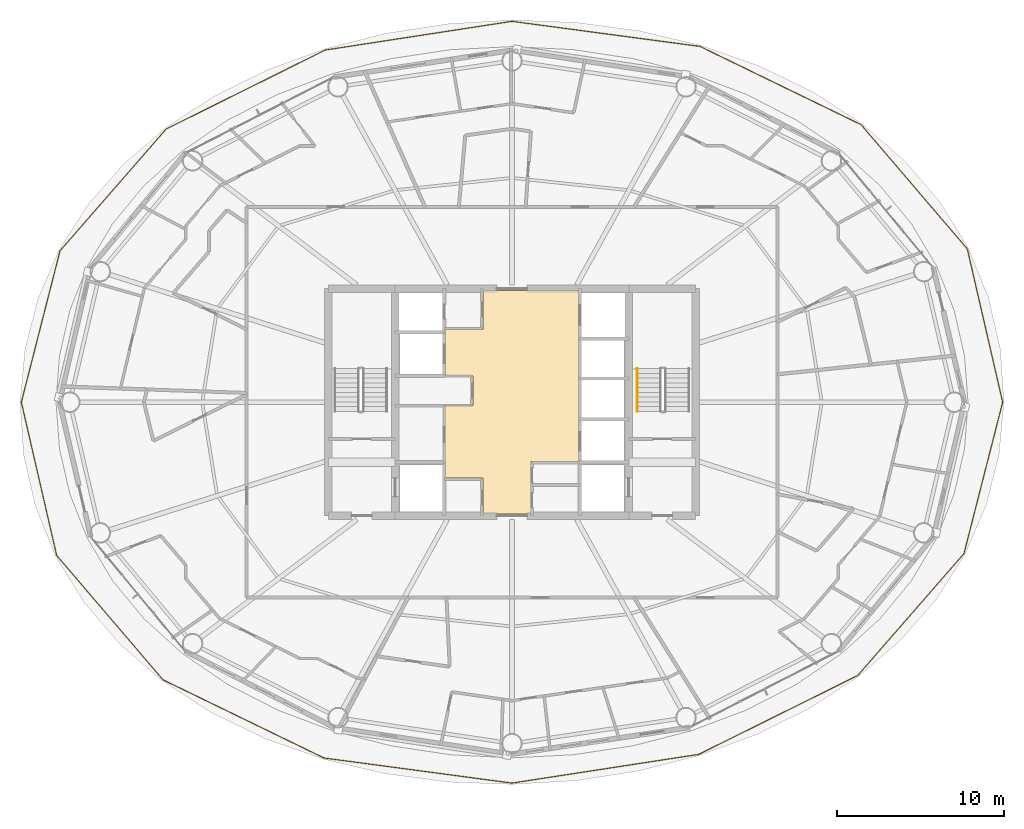
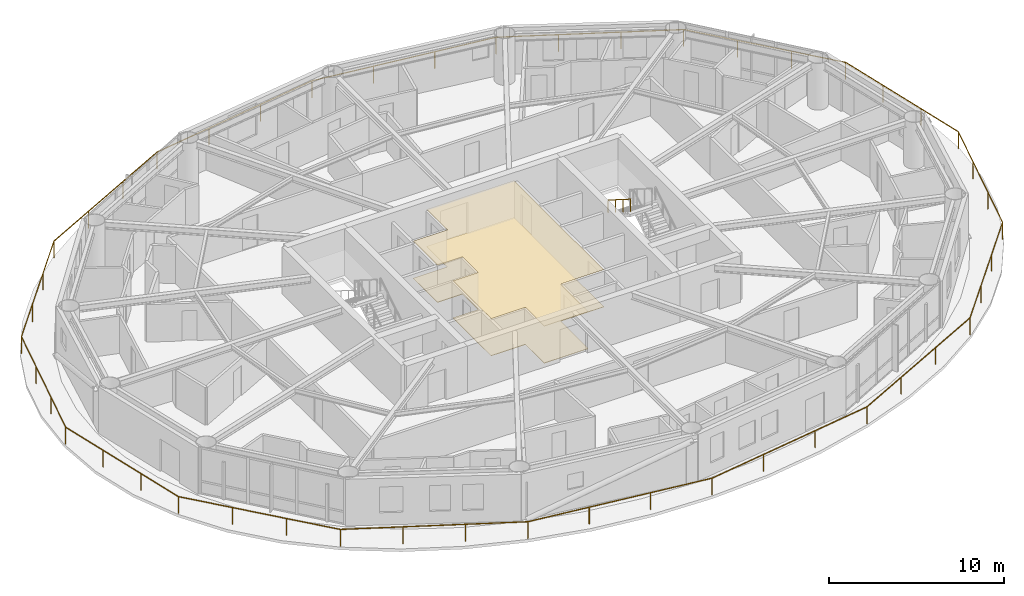
# One storey, part 27 of 28: 2 coverings, 2 railings.
"""IFC4 building model written with IfcOpenShell, lengths in metres."""

from ifc_helpers import new_model, si_unit, direction, frame, origin, origin_2d, place, context, subcontext, project, spatial, polyline, rectangle, outline, extrude, material, layer, layer_set, type_object, element, save


model = new_model("IFC4")

# Units and contexts
model_context = context("Model", 3, precision=1e-05, world=origin(), true_north=direction((0.0, 1.0)))
body_context = subcontext(model_context, "Body", "Model", "MODEL_VIEW")
ifc_project = project(units=[si_unit("LENGTHUNIT", "METRE"), si_unit("AREAUNIT", "SQUARE_METRE"), si_unit("VOLUMEUNIT", "CUBIC_METRE"), si_unit("PLANEANGLEUNIT", "RADIAN"), si_unit("MASSUNIT", "GRAM", prefix="KILO")], contexts=[model_context])

# Site, building, storey
site_placement = place(None, origin())
site = spatial("IfcSite", under=ifc_project, at=site_placement, CompositionType="ELEMENT")
building_placement = place(site_placement, origin())
building = spatial("IfcBuilding", under=site, at=building_placement, Name="Sarneth Arch Tower", CompositionType="ELEMENT")
storey_placement = place(building_placement, frame((0.0, 0.0, 197.39990234375)))
storey = spatial("IfcBuildingStorey", under=building, at=storey_placement, Name="L50", CompositionType="ELEMENT", Elevation=197.39990234375)

# Coverings
ifc_material_1 = material(Name="Perforated acoustic gypsum ceiling board")
ifc_layer_1 = layer(ifc_material_1, 0.02490234375)
ifc_layer_set_1 = layer_set([ifc_layer_1], Name="Perforated acoustic gypsum ceiling board")
covering_type_1 = type_object("IfcCoveringType", Name="COV-CEIL-GYP", PredefinedType="CEILING", material=ifc_layer_set_1)
covering_1_placement = place(storey_placement, frame((0.0, 0.0, 2.580078125)))
element("IfcCovering", 1, at=covering_1_placement, inside=storey, type_object=covering_type_1, Name="L50 Lift lobby acoustic ceiling", PredefinedType="CEILING", context=body_context, shape_type="SweptSolid", body=[
    extrude(outline(polyline([(49.14990234375, 38.449951171875), (49.14990234375, 35.300048828125), (46.25, 35.300048828125), (46.25, 37.449951171875), (44.0, 37.449951171875), (44.0, 41.800048828125), (45.64990234375, 41.800048828125), (45.64990234375, 43.580078125), (44.0, 43.580078125), (44.0, 46.35009765625), (46.25, 46.35009765625), (46.25, 48.699951171875), (52.0, 48.699951171875), (52.0, 38.449951171875), (49.14990234375, 38.449951171875)])), origin(), (0.0, 0.0, 1.0), 0.030029296875),
])
ifc_material_2 = material(Name="Honed granite stone flooring", Category="masonry")
ifc_layer_2 = layer(ifc_material_2, 0.030029296875)
ifc_layer_set_2 = layer_set([ifc_layer_2], Name="Honed granite stone flooring")
covering_type_2 = type_object("IfcCoveringType", Name="COV-FLR-STONE", PredefinedType="FLOORING", material=ifc_layer_set_2)
covering_2_placement = place(storey_placement, origin())
element("IfcCovering", 2, at=covering_2_placement, inside=storey, type_object=covering_type_2, Name="L50 Lift lobby granite flooring", PredefinedType="FLOORING", context=body_context, shape_type="SweptSolid", body=[
    extrude(outline(polyline([(49.14990234375, 38.449951171875), (49.14990234375, 35.300048828125), (46.25, 35.300048828125), (46.25, 37.449951171875), (44.0, 37.449951171875), (44.0, 41.800048828125), (45.64990234375, 41.800048828125), (45.64990234375, 43.580078125), (44.0, 43.580078125), (44.0, 46.35009765625), (46.25, 46.35009765625), (46.25, 48.699951171875), (52.0, 48.699951171875), (52.0, 38.449951171875), (49.14990234375, 38.449951171875)])), origin(), (0.0, 0.0, 1.0), 0.030029296875),
])

# Railings
ifc_material_3 = material(Name="Laminated structural glass infill with Stainless Steel 316 top rail and posts", Category="steel")
railing_type_1 = type_object("IfcRailingType", Name="RAIL-BALC-1200", PredefinedType="BALUSTRADE", material=ifc_material_3)
railing_1_placement = place(storey_placement, frame((77.3896484375, 42.0, 0.0)))
element("IfcRailing", 3, at=railing_1_placement, inside=storey, type_object=railing_type_1, Name="L50 Helical balcony glass balustrade", PredefinedType="BALUSTRADE", context=body_context, shape_type="SweptSolid", body=[
    extrude(rectangle(XDim=0.048095703125, YDim=0.048095703125, at=origin_2d()), frame((0.0, 0.0, 1.17578125), z_axis=(-0.22469292205, 0.974429623308, 0.0), x_axis=(-0.974429623308, -0.22469292205, 0.0)), (0.0, 0.0, 1.0), 9.41943359375),
    extrude(rectangle(XDim=0.048095703125, YDim=0.048095703125, at=origin_2d()), frame((-2.116455078125, 9.178466796875, 1.17578125), z_axis=(-0.649762569774, 0.760137226374, 0.0), x_axis=(-0.760137226374, -0.649762569774, 0.0)), (0.0, 0.0, 1.0), 9.796630859375),
    extrude(rectangle(XDim=0.048095703125, YDim=0.048095703125, at=origin_2d()), frame((-8.48193359375, 16.625244140625, 1.17578125), z_axis=(-0.899529881506, 0.436859236228, 0.0), x_axis=(-0.436859236228, -0.899529881506, 0.0)), (0.0, 0.0, 1.0), 10.72607421875),
    extrude(rectangle(XDim=0.048095703125, YDim=0.048095703125, at=origin_2d()), frame((-18.13037109375, 21.31103515625, 1.17578125), z_axis=(-0.991214004538, 0.132267899387, 0.0), x_axis=(-0.132267899387, -0.991214004538, 0.0)), (0.0, 0.0, 1.0), 11.359130859375),
    extrude(rectangle(XDim=0.048095703125, YDim=0.048095703125, at=origin_2d()), frame((-29.3896484375, 22.8134765625, 1.17578125), z_axis=(-0.988370700487, -0.152063665674, 0.0), x_axis=(0.152063665674, -0.988370700487, 0.0)), (0.0, 0.0, 1.0), 11.322021484375),
    extrude(rectangle(XDim=0.048095703125, YDim=0.048095703125, at=origin_2d()), frame((-40.580078125, 21.091796875, 1.17578125), z_axis=(-0.895737012334, -0.444584305542, 0.0), x_axis=(0.444584305542, -0.895737012334, 0.0)), (0.0, 0.0, 1.0), 10.63037109375),
    extrude(rectangle(XDim=0.048095703125, YDim=0.048095703125, at=origin_2d()), frame((-50.10205078125, 16.36572265625, 1.17578125), z_axis=(-0.656948180586, -0.753935732025, 0.0), x_axis=(0.753935732025, -0.656948180586, 0.0)), (0.0, 0.0, 1.0), 9.681396484375),
    extrude(rectangle(XDim=0.048095703125, YDim=0.048095703125, at=origin_2d()), frame((-56.462158203125, 9.066650390625, 1.17578125), z_axis=(-0.247608879585, -0.968860073876, 0.0), x_axis=(0.968860073876, -0.247608879585, 0.0)), (0.0, 0.0, 1.0), 9.358154296875),
    extrude(rectangle(XDim=0.048095703125, YDim=0.048095703125, at=origin_2d()), frame((-58.779296875, 0.0, 1.17578125), z_axis=(0.22469292205, -0.974429623308, 0.0), x_axis=(0.974429623308, 0.22469292205, 0.0)), (0.0, 0.0, 1.0), 9.41943359375),
    extrude(rectangle(XDim=0.048095703125, YDim=0.048095703125, at=origin_2d()), frame((-56.662841796875, -9.178466796875, 1.17578125), z_axis=(0.649762569774, -0.760137226374, 0.0), x_axis=(0.760137226374, 0.649762569774, 0.0)), (0.0, 0.0, 1.0), 9.796630859375),
    extrude(rectangle(XDim=0.048095703125, YDim=0.048095703125, at=origin_2d()), frame((-50.29736328125, -16.625244140625, 1.17578125), z_axis=(0.899529881506, -0.436859236228, 0.0), x_axis=(0.436859236228, 0.899529881506, 0.0)), (0.0, 0.0, 1.0), 10.72607421875),
    extrude(rectangle(XDim=0.048095703125, YDim=0.048095703125, at=origin_2d()), frame((-40.64892578125, -21.31103515625, 1.17578125), z_axis=(0.991214004538, -0.132267899387, 0.0), x_axis=(0.132267899387, 0.991214004538, 0.0)), (0.0, 0.0, 1.0), 11.359130859375),
    extrude(rectangle(XDim=0.048095703125, YDim=0.048095703125, at=origin_2d()), frame((-29.3896484375, -22.8134765625, 1.17578125), z_axis=(0.988370700487, 0.152063665674, 0.0), x_axis=(-0.152063665674, 0.988370700487, 0.0)), (0.0, 0.0, 1.0), 11.322021484375),
    extrude(rectangle(XDim=0.048095703125, YDim=0.048095703125, at=origin_2d()), frame((-18.19921875, -21.091796875, 1.17578125), z_axis=(0.895737012334, 0.444584305542, 0.0), x_axis=(-0.444584305542, 0.895737012334, 0.0)), (0.0, 0.0, 1.0), 10.63037109375),
    extrude(rectangle(XDim=0.048095703125, YDim=0.048095703125, at=origin_2d()), frame((-8.67724609375, -16.36572265625, 1.17578125), z_axis=(0.656948180586, 0.753935732025, 0.0), x_axis=(-0.753935732025, 0.656948180586, 0.0)), (0.0, 0.0, 1.0), 9.681396484375),
    extrude(rectangle(XDim=0.048095703125, YDim=0.048095703125, at=origin_2d()), frame((-2.317138671875, -9.066650390625, 1.17578125), z_axis=(0.247608879585, 0.968860073876, 0.0), x_axis=(-0.968860073876, 0.247608879585, 0.0)), (0.0, 0.0, 1.0), 9.358154296875),
    extrude(rectangle(XDim=0.0419921875, YDim=0.0419921875, at=origin_2d()), origin(), (0.0, 0.0, 1.0), 1.15185546875),
    extrude(rectangle(XDim=0.0419921875, YDim=0.0419921875, at=origin_2d()), frame((-0.70556640625, 3.0595703125, 0.0)), (0.0, 0.0, 1.0), 1.15185546875),
    extrude(rectangle(XDim=0.0419921875, YDim=0.0419921875, at=origin_2d()), frame((-1.410888671875, 6.118896484375, 0.0)), (0.0, 0.0, 1.0), 1.15185546875),
    extrude(rectangle(XDim=0.0419921875, YDim=0.0419921875, at=origin_2d()), frame((-2.116455078125, 9.178466796875, 0.0)), (0.0, 0.0, 1.0), 1.15185546875),
    extrude(rectangle(XDim=0.0419921875, YDim=0.0419921875, at=origin_2d()), frame((-4.23828125, 11.66064453125, 0.0)), (0.0, 0.0, 1.0), 1.15185546875),
    extrude(rectangle(XDim=0.0419921875, YDim=0.0419921875, at=origin_2d()), frame((-6.360107421875, 14.14306640625, 0.0)), (0.0, 0.0, 1.0), 1.15185546875),
    extrude(rectangle(XDim=0.0419921875, YDim=0.0419921875, at=origin_2d()), frame((-8.48193359375, 16.625244140625, 0.0)), (0.0, 0.0, 1.0), 1.15185546875),
    extrude(rectangle(XDim=0.0419921875, YDim=0.0419921875, at=origin_2d()), frame((-11.697998046875, 18.187255859375, 0.0)), (0.0, 0.0, 1.0), 1.15185546875),
    extrude(rectangle(XDim=0.0419921875, YDim=0.0419921875, at=origin_2d()), frame((-14.914306640625, 19.7490234375, 0.0)), (0.0, 0.0, 1.0), 1.15185546875),
    extrude(rectangle(XDim=0.0419921875, YDim=0.0419921875, at=origin_2d()), frame((-18.13037109375, 21.31103515625, 0.0)), (0.0, 0.0, 1.0), 1.15185546875),
    extrude(rectangle(XDim=0.0419921875, YDim=0.0419921875, at=origin_2d()), frame((-21.883544921875, 21.811767578125, 0.0)), (0.0, 0.0, 1.0), 1.15185546875),
    extrude(rectangle(XDim=0.0419921875, YDim=0.0419921875, at=origin_2d()), frame((-25.636474609375, 22.312744140625, 0.0)), (0.0, 0.0, 1.0), 1.15185546875),
    extrude(rectangle(XDim=0.0419921875, YDim=0.0419921875, at=origin_2d()), frame((-29.3896484375, 22.8134765625, 0.0)), (0.0, 0.0, 1.0), 1.15185546875),
    extrude(rectangle(XDim=0.0419921875, YDim=0.0419921875, at=origin_2d()), frame((-33.119873046875, 22.239501953125, 0.0)), (0.0, 0.0, 1.0), 1.15185546875),
    extrude(rectangle(XDim=0.0419921875, YDim=0.0419921875, at=origin_2d()), frame((-36.849853515625, 21.665771484375, 0.0)), (0.0, 0.0, 1.0), 1.15185546875),
    extrude(rectangle(XDim=0.0419921875, YDim=0.0419921875, at=origin_2d()), frame((-40.580078125, 21.091796875, 0.0)), (0.0, 0.0, 1.0), 1.15185546875),
    extrude(rectangle(XDim=0.0419921875, YDim=0.0419921875, at=origin_2d()), frame((-43.754150390625, 19.516357421875, 0.0)), (0.0, 0.0, 1.0), 1.15185546875),
    extrude(rectangle(XDim=0.0419921875, YDim=0.0419921875, at=origin_2d()), frame((-46.927978515625, 17.941162109375, 0.0)), (0.0, 0.0, 1.0), 1.15185546875),
    extrude(rectangle(XDim=0.0419921875, YDim=0.0419921875, at=origin_2d()), frame((-50.10205078125, 16.36572265625, 0.0)), (0.0, 0.0, 1.0), 1.15185546875),
    extrude(rectangle(XDim=0.0419921875, YDim=0.0419921875, at=origin_2d()), frame((-52.22216796875, 13.9326171875, 0.0)), (0.0, 0.0, 1.0), 1.15185546875),
    extrude(rectangle(XDim=0.0419921875, YDim=0.0419921875, at=origin_2d()), frame((-54.342041015625, 11.499755859375, 0.0)), (0.0, 0.0, 1.0), 1.15185546875),
    extrude(rectangle(XDim=0.0419921875, YDim=0.0419921875, at=origin_2d()), frame((-56.462158203125, 9.066650390625, 0.0)), (0.0, 0.0, 1.0), 1.15185546875),
    extrude(rectangle(XDim=0.0419921875, YDim=0.0419921875, at=origin_2d()), frame((-57.234619140625, 6.04443359375, 0.0)), (0.0, 0.0, 1.0), 1.15185546875),
    extrude(rectangle(XDim=0.0419921875, YDim=0.0419921875, at=origin_2d()), frame((-58.0068359375, 3.022216796875, 0.0)), (0.0, 0.0, 1.0), 1.15185546875),
    extrude(rectangle(XDim=0.0419921875, YDim=0.0419921875, at=origin_2d()), frame((-58.779296875, 0.0, 0.0)), (0.0, 0.0, 1.0), 1.15185546875),
    extrude(rectangle(XDim=0.0419921875, YDim=0.0419921875, at=origin_2d()), frame((-58.07373046875, -3.0595703125, 0.0)), (0.0, 0.0, 1.0), 1.15185546875),
    extrude(rectangle(XDim=0.0419921875, YDim=0.0419921875, at=origin_2d()), frame((-57.368408203125, -6.118896484375, 0.0)), (0.0, 0.0, 1.0), 1.15185546875),
    extrude(rectangle(XDim=0.0419921875, YDim=0.0419921875, at=origin_2d()), frame((-56.662841796875, -9.178466796875, 0.0)), (0.0, 0.0, 1.0), 1.15185546875),
    extrude(rectangle(XDim=0.0419921875, YDim=0.0419921875, at=origin_2d()), frame((-54.541015625, -11.66064453125, 0.0)), (0.0, 0.0, 1.0), 1.15185546875),
    extrude(rectangle(XDim=0.0419921875, YDim=0.0419921875, at=origin_2d()), frame((-52.419189453125, -14.14306640625, 0.0)), (0.0, 0.0, 1.0), 1.15185546875),
    extrude(rectangle(XDim=0.0419921875, YDim=0.0419921875, at=origin_2d()), frame((-50.29736328125, -16.625244140625, 0.0)), (0.0, 0.0, 1.0), 1.15185546875),
    extrude(rectangle(XDim=0.0419921875, YDim=0.0419921875, at=origin_2d()), frame((-47.081298828125, -18.187255859375, 0.0)), (0.0, 0.0, 1.0), 1.15185546875),
    extrude(rectangle(XDim=0.0419921875, YDim=0.0419921875, at=origin_2d()), frame((-43.864990234375, -19.7490234375, 0.0)), (0.0, 0.0, 1.0), 1.15185546875),
    extrude(rectangle(XDim=0.0419921875, YDim=0.0419921875, at=origin_2d()), frame((-40.64892578125, -21.31103515625, 0.0)), (0.0, 0.0, 1.0), 1.15185546875),
    extrude(rectangle(XDim=0.0419921875, YDim=0.0419921875, at=origin_2d()), frame((-36.895751953125, -21.811767578125, 0.0)), (0.0, 0.0, 1.0), 1.15185546875),
    extrude(rectangle(XDim=0.0419921875, YDim=0.0419921875, at=origin_2d()), frame((-33.142822265625, -22.312744140625, 0.0)), (0.0, 0.0, 1.0), 1.15185546875),
    extrude(rectangle(XDim=0.0419921875, YDim=0.0419921875, at=origin_2d()), frame((-29.3896484375, -22.8134765625, 0.0)), (0.0, 0.0, 1.0), 1.15185546875),
    extrude(rectangle(XDim=0.0419921875, YDim=0.0419921875, at=origin_2d()), frame((-25.659423828125, -22.239501953125, 0.0)), (0.0, 0.0, 1.0), 1.15185546875),
    extrude(rectangle(XDim=0.0419921875, YDim=0.0419921875, at=origin_2d()), frame((-21.929443359375, -21.665771484375, 0.0)), (0.0, 0.0, 1.0), 1.15185546875),
    extrude(rectangle(XDim=0.0419921875, YDim=0.0419921875, at=origin_2d()), frame((-18.19921875, -21.091796875, 0.0)), (0.0, 0.0, 1.0), 1.15185546875),
    extrude(rectangle(XDim=0.0419921875, YDim=0.0419921875, at=origin_2d()), frame((-15.025146484375, -19.516357421875, 0.0)), (0.0, 0.0, 1.0), 1.15185546875),
    extrude(rectangle(XDim=0.0419921875, YDim=0.0419921875, at=origin_2d()), frame((-11.851318359375, -17.941162109375, 0.0)), (0.0, 0.0, 1.0), 1.15185546875),
    extrude(rectangle(XDim=0.0419921875, YDim=0.0419921875, at=origin_2d()), frame((-8.67724609375, -16.36572265625, 0.0)), (0.0, 0.0, 1.0), 1.15185546875),
    extrude(rectangle(XDim=0.0419921875, YDim=0.0419921875, at=origin_2d()), frame((-6.55712890625, -13.9326171875, 0.0)), (0.0, 0.0, 1.0), 1.15185546875),
    extrude(rectangle(XDim=0.0419921875, YDim=0.0419921875, at=origin_2d()), frame((-4.437255859375, -11.499755859375, 0.0)), (0.0, 0.0, 1.0), 1.15185546875),
    extrude(rectangle(XDim=0.0419921875, YDim=0.0419921875, at=origin_2d()), frame((-2.317138671875, -9.066650390625, 0.0)), (0.0, 0.0, 1.0), 1.15185546875),
    extrude(rectangle(XDim=0.0419921875, YDim=0.0419921875, at=origin_2d()), frame((-1.544677734375, -6.04443359375, 0.0)), (0.0, 0.0, 1.0), 1.15185546875),
    extrude(rectangle(XDim=0.0419921875, YDim=0.0419921875, at=origin_2d()), frame((-0.7724609375, -3.022216796875, 0.0)), (0.0, 0.0, 1.0), 1.15185546875),
])
ifc_material_4 = material(Name="Brushed Stainless Steel 304 tubular handrail", Category="steel")
railing_type_2 = type_object("IfcRailingType", Name="RAIL-HANDRAIL-900", PredefinedType="HANDRAIL", material=ifc_material_4)
railing_2_placement = place(storey_placement, frame((55.5, 44.014892578125, 1.97998046875)))
element("IfcRailing", 4, at=railing_2_placement, inside=storey, type_object=railing_type_2, Name="L50 ST-2 stair handrail 2", PredefinedType="HANDRAIL", context=body_context, shape_type="SweptSolid", body=[
    extrude(rectangle(XDim=0.048095703125, YDim=0.048095703125, at=origin_2d()), frame((0.0, 0.0, 0.8759765625), z_axis=(0.0, -0.845465955043, 0.534029323973), x_axis=(1.0, 0.0, 0.0)), (0.0, 0.0, 1.0), 3.03369140625),
    extrude(rectangle(XDim=0.0419921875, YDim=0.0419921875, at=origin_2d()), origin(), (0.0, 0.0, 1.0), 0.851806640625),
    extrude(rectangle(XDim=0.0419921875, YDim=0.0419921875, at=origin_2d()), frame((0.0, -0.85498046875, 0.5400390625)), (0.0, 0.0, 1.0), 0.851806640625),
    extrude(rectangle(XDim=0.0419921875, YDim=0.0419921875, at=origin_2d()), frame((0.0, -1.7099609375, 1.080078125)), (0.0, 0.0, 1.0), 0.851806640625),
    extrude(rectangle(XDim=0.0419921875, YDim=0.0419921875, at=origin_2d()), frame((0.0, -2.56494140625, 1.6201171875)), (0.0, 0.0, 1.0), 0.851806640625),
])

save(model, "model.ifc")
